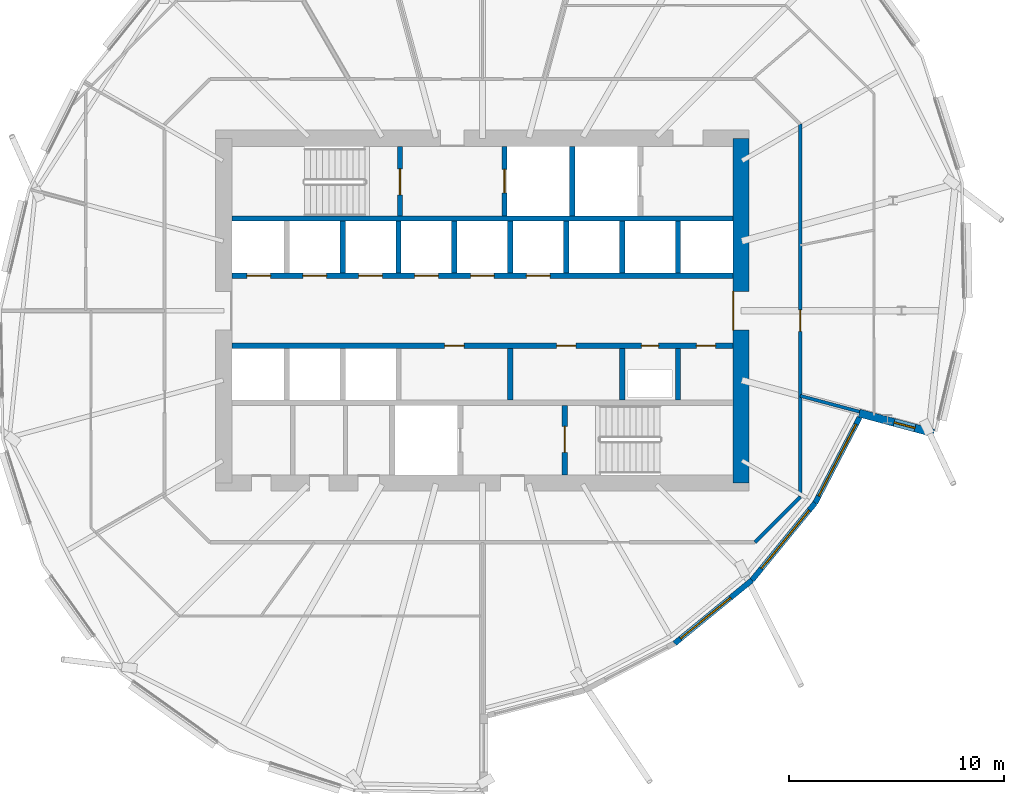
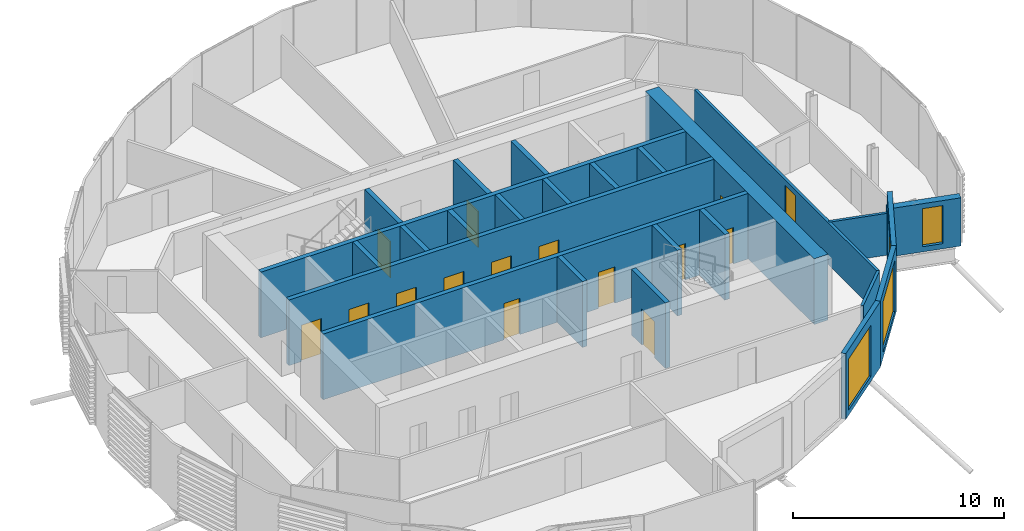
# One storey, part 26 of 42: 25 walls, 15 doors, 4 windows, 19 openings.
"""IFC4 building model written with IfcOpenShell, lengths in metres."""

from ifc_helpers import new_model, si_unit, direction, frame, frame_2d, origin, place, context, subcontext, project, spatial, rectangle, extrude, material, layer, layer_set, type_object, element, fill, save


model = new_model("IFC4")

# Units and contexts
model_context = context("Model", 3, precision=1e-05, world=origin(), true_north=direction((0.0, 1.0)))
body_context = subcontext(model_context, "Body", "Model", "MODEL_VIEW")
ifc_project = project(units=[si_unit("LENGTHUNIT", "METRE"), si_unit("AREAUNIT", "SQUARE_METRE"), si_unit("VOLUMEUNIT", "CUBIC_METRE"), si_unit("PLANEANGLEUNIT", "RADIAN"), si_unit("MASSUNIT", "GRAM", prefix="KILO")], contexts=[model_context])

# Site, building, storey
site_placement = place(None, origin())
site = spatial("IfcSite", under=ifc_project, at=site_placement, CompositionType="ELEMENT")
building_placement = place(site_placement, origin())
building = spatial("IfcBuilding", under=site, at=building_placement, Name="Rimbun Link Towers", CompositionType="ELEMENT")
storey_placement = place(building_placement, frame((0.0, 0.0, 85.39990234375)))
storey = spatial("IfcBuildingStorey", under=building, at=storey_placement, Name="L20", CompositionType="ELEMENT", Elevation=85.39990234375)

# Wall, opening, window
ifc_material_1 = material(Name="Dark enamelled glass spandrel on insulated aluminium backpan", Category="aluminium")
ifc_layer_1 = layer(ifc_material_1, 0.25)
ifc_layer_set_1 = layer_set([ifc_layer_1], Name="CS dark enamelled spandrel wall 250")
wall_type_1 = type_object("IfcWallType", Name="CS dark enamelled spandrel wall 250", PredefinedType="STANDARD", material=ifc_layer_set_1)
wall_1_placement = place(storey_placement, frame((44.259765625, -12.509765625, 0.0), z_axis=(0.0, 0.0, 1.0), x_axis=(-0.773910332823, -0.633295189268, 0.0)))
wall_1 = element("IfcWall", 1, at=wall_1_placement, inside=storey, type_object=wall_type_1, Name="Crease spandrel wall", PredefinedType="STANDARD", context=body_context, shape_type="SweptSolid", body=[
    extrude(rectangle(XDim=4.63232421875, YDim=0.25, at=frame_2d((2.316162109375, 0.0))), origin(), (0.0, 0.0, 1.0), 3.800048828125),
])
opening_1_placement = place(wall_1_placement, frame((1.277099609375, 0.0, 0.300048828125)))
opening_1 = element("IfcOpeningElement", 2, at=opening_1_placement, cuts=wall_1, Name="Opening WR30H295", PredefinedType="OPENING", context=body_context, shape_type="SweptSolid", body=[
    extrude(rectangle(XDim=3.0, YDim=2.949951171875, at=frame_2d((1.5, 1.47509765625))), frame((0.0, 0.135009765625, 0.0), z_axis=(0.0, -1.0, 0.0), x_axis=(1.0, 0.0, 0.0)), (0.0, 0.0, 1.0), 0.27001953125),
])
ifc_material_2 = material(Name="Aluminium framed fixed window, dark tinted low-e glass", Category="aluminium")
window_type_1 = type_object("IfcWindowType", Name="WR ribbon window 3000X2950", PartitioningType="SINGLE_PANEL", PredefinedType="WINDOW", material=ifc_material_2)
window_1_placement = place(opening_1_placement, origin())
window_1 = element("IfcWindow", 3, at=window_1_placement, inside=storey, type_object=window_type_1, Name="Crease ribbon window", OverallHeight=2.949951171875, OverallWidth=3.0, PartitioningType="SINGLE_PANEL", PredefinedType="WINDOW", context=body_context, shape_type="SweptSolid", body=[
    extrude(rectangle(XDim=3.0, YDim=2.949951171875, at=frame_2d((1.5, 1.47509765625))), frame((0.0, 0.030029296875, 0.0), z_axis=(0.0, -1.0, 0.0), x_axis=(1.0, 0.0, 0.0)), (0.0, 0.0, 1.0), 0.06005859375),
])
fill(opening_1, window_1)

wall_2_placement = place(storey_placement, frame((47.193359375, -8.9248046875, 0.0), z_axis=(0.0, 0.0, 1.0), x_axis=(-0.633295189268, -0.773910332823, 0.0)))
wall_2 = element("IfcWall", 4, at=wall_2_placement, inside=storey, type_object=wall_type_1, Name="Crease spandrel wall", PredefinedType="STANDARD", context=body_context, shape_type="SweptSolid", body=[
    extrude(rectangle(XDim=4.63232421875, YDim=0.25, at=frame_2d((2.316162109375, 0.0))), origin(), (0.0, 0.0, 1.0), 3.800048828125),
])
opening_2_placement = place(wall_2_placement, frame((0.434814453125, 0.0, 0.300048828125)))
opening_2 = element("IfcOpeningElement", 5, at=opening_2_placement, cuts=wall_2, Name="Opening WR35H295", PredefinedType="OPENING", context=body_context, shape_type="SweptSolid", body=[
    extrude(rectangle(XDim=3.5, YDim=2.949951171875, at=frame_2d((1.75, 1.47509765625))), frame((0.0, 0.135009765625, 0.0), z_axis=(0.0, -1.0, 0.0), x_axis=(1.0, 0.0, 0.0)), (0.0, 0.0, 1.0), 0.27001953125),
])
ifc_material_3 = material(Name="Aluminium framed fixed window, dark tinted low-e glass", Category="aluminium")
window_type_2 = type_object("IfcWindowType", Name="WR ribbon window 3500X2950", PartitioningType="SINGLE_PANEL", PredefinedType="WINDOW", material=ifc_material_3)
window_2_placement = place(opening_2_placement, origin())
window_2 = element("IfcWindow", 6, at=window_2_placement, inside=storey, type_object=window_type_2, Name="Crease ribbon window", OverallHeight=2.949951171875, OverallWidth=3.5, PartitioningType="SINGLE_PANEL", PredefinedType="WINDOW", context=body_context, shape_type="SweptSolid", body=[
    extrude(rectangle(XDim=3.5, YDim=2.949951171875, at=frame_2d((1.75, 1.47509765625))), frame((0.0, 0.030029296875, 0.0), z_axis=(0.0, -1.0, 0.0), x_axis=(1.0, 0.0, 0.0)), (0.0, 0.0, 1.0), 0.06005859375),
])
fill(opening_2, window_2)

wall_3_placement = place(storey_placement, frame((49.26171875, -4.951171875, 0.0), z_axis=(0.0, 0.0, 1.0), x_axis=(-0.461716482869, -0.887027558448, 0.0)))
wall_3 = element("IfcWall", 7, at=wall_3_placement, inside=storey, type_object=wall_type_1, Name="Crease spandrel wall", PredefinedType="STANDARD", context=body_context, shape_type="SweptSolid", body=[
    extrude(rectangle(XDim=4.479736328125, YDim=0.25, at=frame_2d((2.23974609375, 0.0))), origin(), (0.0, 0.0, 1.0), 3.800048828125),
])
opening_3_placement = place(wall_3_placement, frame((0.364990234375, 0.0, 0.300048828125)))
opening_3 = element("IfcOpeningElement", 8, at=opening_3_placement, cuts=wall_3, Name="Opening WR38H295", PredefinedType="OPENING", context=body_context, shape_type="SweptSolid", body=[
    extrude(rectangle(XDim=3.75, YDim=2.949951171875, at=frame_2d((1.875, 1.47509765625))), frame((0.0, 0.135009765625, 0.0), z_axis=(0.0, -1.0, 0.0), x_axis=(1.0, 0.0, 0.0)), (0.0, 0.0, 1.0), 0.27001953125),
])
ifc_material_4 = material(Name="Aluminium framed fixed window, dark tinted low-e glass", Category="aluminium")
window_type_3 = type_object("IfcWindowType", Name="WR ribbon window 3750X2950", PartitioningType="SINGLE_PANEL", PredefinedType="WINDOW", material=ifc_material_4)
window_3_placement = place(opening_3_placement, origin())
window_3 = element("IfcWindow", 9, at=window_3_placement, inside=storey, type_object=window_type_3, Name="Crease ribbon window", OverallHeight=2.949951171875, OverallWidth=3.75, PartitioningType="SINGLE_PANEL", PredefinedType="WINDOW", context=body_context, shape_type="SweptSolid", body=[
    extrude(rectangle(XDim=3.75, YDim=2.949951171875, at=frame_2d((1.875, 1.47509765625))), frame((0.0, 0.030029296875, 0.0), z_axis=(0.0, -1.0, 0.0), x_axis=(1.0, 0.0, 0.0)), (0.0, 0.0, 1.0), 0.06005859375),
])
fill(opening_3, window_3)

ifc_material_5 = material(Name="Dark enamelled glass spandrel on insulated aluminium backpan", Category="aluminium")
ifc_layer_2 = layer(ifc_material_5, 0.3701171875)
ifc_layer_set_2 = layer_set([ifc_layer_2], Name="CS dark enamelled spandrel wall 370")
wall_type_2 = type_object("IfcWallType", Name="CS dark enamelled spandrel wall 370", PredefinedType="STANDARD", material=ifc_layer_set_2)
wall_4_placement = place(storey_placement, frame((52.697509765625, -5.68017578125, 0.0), z_axis=(0.0, 0.0, 1.0), x_axis=(-0.965929787715, 0.258804260405, 0.0)))
wall_4 = element("IfcWall", 10, at=wall_4_placement, inside=storey, type_object=wall_type_2, Name="Crease spandrel wall", PredefinedType="STANDARD", context=body_context, shape_type="SweptSolid", body=[
    extrude(rectangle(XDim=3.580078125, YDim=0.3701171875, at=frame_2d((1.7900390625, 0.0))), origin(), (0.0, 0.0, 1.0), 2.789306640625),
])
opening_4_placement = place(wall_4_placement, frame((0.90185546875, 0.0, 0.300048828125)))
opening_4 = element("IfcOpeningElement", 11, at=opening_4_placement, cuts=wall_4, Name="Opening WR10H220", PredefinedType="OPENING", context=body_context, shape_type="SweptSolid", body=[
    extrude(rectangle(XDim=1.0, YDim=2.199951171875, at=frame_2d((0.5, 1.10009765625))), frame((0.0, 0.195068359375, 0.0), z_axis=(0.0, -1.0, 0.0), x_axis=(1.0, 0.0, 0.0)), (0.0, 0.0, 1.0), 0.39013671875),
])
ifc_material_6 = material(Name="Aluminium framed fixed window, dark tinted low-e glass", Category="aluminium")
window_type_4 = type_object("IfcWindowType", Name="WR ribbon window 1000X2200", PartitioningType="SINGLE_PANEL", PredefinedType="WINDOW", material=ifc_material_6)
window_4_placement = place(opening_4_placement, origin())
window_4 = element("IfcWindow", 12, at=window_4_placement, inside=storey, type_object=window_type_4, Name="Crease ribbon window", OverallHeight=2.199951171875, OverallWidth=1.0, PartitioningType="SINGLE_PANEL", PredefinedType="WINDOW", context=body_context, shape_type="SweptSolid", body=[
    extrude(rectangle(XDim=1.0, YDim=2.199951171875, at=frame_2d((0.5, 1.10009765625))), frame((0.0, 0.030029296875, 0.0), z_axis=(0.0, -1.0, 0.0), x_axis=(1.0, 0.0, 0.0)), (0.0, 0.0, 1.0), 0.06005859375),
])
fill(opening_4, window_4)

# Wall, opening, door
ifc_material_7 = material(Name="Concrete C60/75", Category="concrete")
ifc_layer_3 = layer(ifc_material_7, 0.75)
ifc_layer_set_3 = layer_set([ifc_layer_3], Name="Core shear wall 750")
wall_type_3 = type_object("IfcWallType", Name="Core shear wall 750", PredefinedType="SHEAR", material=ifc_layer_set_3)
wall_5_placement = place(storey_placement, frame((43.75, -8.0, 0.0), z_axis=(0.0, 0.0, 1.0), x_axis=(0.0, 1.0, 0.0)))
wall_5 = element("IfcWall", 13, at=wall_5_placement, inside=storey, type_object=wall_type_3, Name="L20 T2 core wall E", PredefinedType="SHEAR", context=body_context, shape_type="SweptSolid", body=[
    extrude(rectangle(XDim=16.0, YDim=0.75, at=frame_2d((8.0, 0.0))), origin(), (0.0, 0.0, 1.0), 3.800048828125),
])
opening_5_placement = place(wall_5_placement, frame((7.10009765625, 0.0, 0.0)))
opening_5 = element("IfcOpeningElement", 14, at=opening_5_placement, cuts=wall_5, Name="Opening C2DCL01E", PredefinedType="OPENING", context=body_context, shape_type="SweptSolid", body=[
    extrude(rectangle(XDim=1.800048828125, YDim=2.10009765625, at=frame_2d((0.89990234375, 1.050048828125))), frame((0.0, 0.385009765625, 0.0), z_axis=(0.0, -1.0, 0.0), x_axis=(1.0, 0.0, 0.0)), (0.0, 0.0, 1.0), 0.77001953125),
])
ifc_material_8 = material(Name="Steel fire door set", Category="steel")
door_type_1 = type_object("IfcDoorType", Name="Core lobby door double", OperationType="DOUBLE_DOOR_SINGLE_SWING", PredefinedType="DOOR", material=ifc_material_8)
door_1_placement = place(opening_5_placement, origin())
door_1 = element("IfcDoor", 15, at=door_1_placement, inside=storey, type_object=door_type_1, Name="L20 T2 lift lobby door", OperationType="DOUBLE_DOOR_SINGLE_SWING", OverallHeight=2.10009765625, OverallWidth=1.800048828125, PredefinedType="DOOR", context=body_context, shape_type="SweptSolid", body=[
    extrude(rectangle(XDim=1.800048828125, YDim=2.10009765625, at=frame_2d((0.89990234375, 1.050048828125))), frame((0.0, 0.375, 0.0), z_axis=(0.0, -1.0, 0.0), x_axis=(1.0, 0.0, 0.0)), (0.0, 0.0, 1.0), 0.050048828125),
])
fill(opening_5, door_1)

ifc_material_9 = material(Name="Plasterboard on steel stud, mineral wool", Category="steel")
ifc_layer_4 = layer(ifc_material_9, 0.14990234375)
ifc_layer_set_4 = layer_set([ifc_layer_4], Name="Corridor wall EI 30 150 mm")
wall_type_4 = type_object("IfcWallType", Name="Corridor wall EI 30 150 mm", PredefinedType="PARTITIONING", material=ifc_layer_set_4)
wall_6_placement = place(storey_placement, frame((46.5, 8.651611328125, 0.0), z_axis=(0.0, 0.0, 1.0), x_axis=(0.0, -1.0, 0.0)))
wall_6 = element("IfcWall", 16, at=wall_6_placement, inside=storey, type_object=wall_type_4, Name="Corridor wall EI 30 150 mm", PredefinedType="PARTITIONING", context=body_context, shape_type="SweptSolid", body=[
    extrude(rectangle(XDim=17.30322265625, YDim=0.14990234375, at=frame_2d((8.651611328125, 0.0))), origin(), (0.0, 0.0, 1.0), 2.420166015625),
])
opening_6_placement = place(wall_6_placement, frame((8.611328125, 0.0, 0.0)))
opening_6 = element("IfcOpeningElement", 17, at=opening_6_placement, cuts=wall_6, Name="Opening D01", PredefinedType="OPENING", context=body_context, shape_type="SweptSolid", body=[
    extrude(rectangle(XDim=1.0, YDim=2.10009765625, at=frame_2d((0.5, 1.050048828125))), frame((0.0, 0.0849609375, 0.0), z_axis=(0.0, -1.0, 0.0), x_axis=(1.0, 0.0, 0.0)), (0.0, 0.0, 1.0), 0.169921875),
])
ifc_material_10 = material(Name="Fire-resisting timber door leaf", Category="wood")
door_type_2 = type_object("IfcDoorType", Name="Fire door FD30S 1000", OperationType="NOTDEFINED", PredefinedType="DOOR", material=ifc_material_10)
door_2_placement = place(opening_6_placement, origin())
door_2 = element("IfcDoor", 18, at=door_2_placement, inside=storey, type_object=door_type_2, Name="Fire door FD30S 1000 to Reception", OperationType="SINGLE_SWING_LEFT", OverallHeight=2.10009765625, OverallWidth=1.0, PredefinedType="DOOR", context=body_context, shape_type="SweptSolid", body=[
    extrude(rectangle(XDim=1.0, YDim=2.10009765625, at=frame_2d((0.5, 1.050048828125))), frame((0.0, 0.02490234375, 0.0), z_axis=(0.0, -1.0, 0.0), x_axis=(1.0, 0.0, 0.0)), (0.0, 0.0, 1.0), 0.050048828125),
])
fill(opening_6, door_2)

# Walls
wall_7_placement = place(storey_placement, frame((44.401611328125, -10.75, 0.0), z_axis=(0.0, 0.0, 1.0), x_axis=(0.707106781187, 0.707106781187, 0.0)))
element("IfcWall", 19, at=wall_7_placement, inside=storey, type_object=wall_type_4, Name="Corridor wall EI 30 150 mm", PredefinedType="PARTITIONING", context=body_context, shape_type="SweptSolid", body=[
    extrude(rectangle(XDim=2.967529296875, YDim=0.14990234375, at=frame_2d((1.48388671875, 0.0))), origin(), (0.0, 0.0, 1.0), 2.420166015625),
])
ifc_material_11 = material(Name="Concrete C60/75", Category="concrete")
ifc_layer_5 = layer(ifc_material_11, 0.25)
ifc_layer_set_5 = layer_set([ifc_layer_5], Name="Shaft wall 250")
wall_type_5 = type_object("IfcWallType", Name="Shaft wall 250", PredefinedType="SHEAR", material=ifc_layer_set_5)
wall_8_placement = place(storey_placement, frame((20.125, 4.27490234375, 0.0), z_axis=(0.0, 0.0, 1.0), x_axis=(1.0, 0.0, 0.0)))
element("IfcWall", 20, at=wall_8_placement, inside=storey, type_object=wall_type_5, Name="L20 T2 core wall BN", PredefinedType="SHEAR", context=body_context, shape_type="SweptSolid", body=[
    extrude(rectangle(XDim=23.25, YDim=0.25, at=frame_2d((11.625, 0.0))), origin(), (0.0, 0.0, 1.0), 3.800048828125),
])

# Wall, openings, doors
wall_9_placement = place(storey_placement, frame((20.125, 1.625, 0.0), z_axis=(0.0, 0.0, 1.0), x_axis=(1.0, 0.0, 0.0)))
wall_9 = element("IfcWall", 21, at=wall_9_placement, inside=storey, type_object=wall_type_5, Name="L20 T2 core wall FN", PredefinedType="SHEAR", context=body_context, shape_type="SweptSolid", body=[
    extrude(rectangle(XDim=23.25, YDim=0.25, at=frame_2d((11.625, 0.0))), origin(), (0.0, 0.0, 1.0), 3.800048828125),
])
opening_7_placement = place(wall_9_placement, frame((0.697265625, 0.0, 0.0)))
opening_7 = element("IfcOpeningElement", 22, at=opening_7_placement, cuts=wall_9, Name="Opening LD-T2-LR1", PredefinedType="OPENING", context=body_context, shape_type="SweptSolid", body=[
    extrude(rectangle(XDim=1.10009765625, YDim=2.10009765625, at=frame_2d((0.550048828125, 1.050048828125))), frame((0.0, 0.135009765625, 0.0), z_axis=(0.0, -1.0, 0.0), x_axis=(1.0, 0.0, 0.0)), (0.0, 0.0, 1.0), 0.27001953125),
])
opening_8_placement = place(wall_9_placement, frame((3.291748046875, 0.0, 0.0)))
opening_8 = element("IfcOpeningElement", 23, at=opening_8_placement, cuts=wall_9, Name="Opening LD-T2-LR2", PredefinedType="OPENING", context=body_context, shape_type="SweptSolid", body=[
    extrude(rectangle(XDim=1.10009765625, YDim=2.10009765625, at=frame_2d((0.550048828125, 1.050048828125))), frame((0.0, 0.135009765625, 0.0), z_axis=(0.0, -1.0, 0.0), x_axis=(1.0, 0.0, 0.0)), (0.0, 0.0, 1.0), 0.27001953125),
])
opening_9_placement = place(wall_9_placement, frame((5.885986328125, 0.0, 0.0)))
opening_9 = element("IfcOpeningElement", 24, at=opening_9_placement, cuts=wall_9, Name="Opening LD-T2-LR3", PredefinedType="OPENING", context=body_context, shape_type="SweptSolid", body=[
    extrude(rectangle(XDim=1.10009765625, YDim=2.10009765625, at=frame_2d((0.550048828125, 1.050048828125))), frame((0.0, 0.135009765625, 0.0), z_axis=(0.0, -1.0, 0.0), x_axis=(1.0, 0.0, 0.0)), (0.0, 0.0, 1.0), 0.27001953125),
])
opening_10_placement = place(wall_9_placement, frame((8.480712890625, 0.0, 0.0)))
opening_10 = element("IfcOpeningElement", 25, at=opening_10_placement, cuts=wall_9, Name="Opening LD-T2-LR4", PredefinedType="OPENING", context=body_context, shape_type="SweptSolid", body=[
    extrude(rectangle(XDim=1.10009765625, YDim=2.10009765625, at=frame_2d((0.550048828125, 1.050048828125))), frame((0.0, 0.135009765625, 0.0), z_axis=(0.0, -1.0, 0.0), x_axis=(1.0, 0.0, 0.0)), (0.0, 0.0, 1.0), 0.27001953125),
])
opening_11_placement = place(wall_9_placement, frame((11.074951171875, 0.0, 0.0)))
opening_11 = element("IfcOpeningElement", 26, at=opening_11_placement, cuts=wall_9, Name="Opening LD-T2-LR5", PredefinedType="OPENING", context=body_context, shape_type="SweptSolid", body=[
    extrude(rectangle(XDim=1.10009765625, YDim=2.10009765625, at=frame_2d((0.550048828125, 1.050048828125))), frame((0.0, 0.135009765625, 0.0), z_axis=(0.0, -1.0, 0.0), x_axis=(1.0, 0.0, 0.0)), (0.0, 0.0, 1.0), 0.27001953125),
])
opening_12_placement = place(wall_9_placement, frame((13.66943359375, 0.0, 0.0)))
opening_12 = element("IfcOpeningElement", 27, at=opening_12_placement, cuts=wall_9, Name="Opening LD-T2-LR6", PredefinedType="OPENING", context=body_context, shape_type="SweptSolid", body=[
    extrude(rectangle(XDim=1.10009765625, YDim=2.10009765625, at=frame_2d((0.550048828125, 1.050048828125))), frame((0.0, 0.135009765625, 0.0), z_axis=(0.0, -1.0, 0.0), x_axis=(1.0, 0.0, 0.0)), (0.0, 0.0, 1.0), 0.27001953125),
])
ifc_material_12 = material(Name="Stainless steel grade 316", Category="steel")
door_type_3 = type_object("IfcDoorType", Name="Lift landing door", OperationType="DOUBLE_DOOR_SLIDING", PredefinedType="DOOR", material=ifc_material_12)
door_3_placement = place(opening_7_placement, origin())
door_3 = element("IfcDoor", 28, at=door_3_placement, inside=storey, type_object=door_type_3, Name="L20 T2 lift LR1 landing door", OperationType="DOUBLE_DOOR_SLIDING", OverallHeight=2.10009765625, OverallWidth=1.10009765625, PredefinedType="DOOR", context=body_context, shape_type="SweptSolid", body=[
    extrude(rectangle(XDim=1.10009765625, YDim=2.10009765625, at=frame_2d((0.550048828125, 1.050048828125))), frame((0.0, 0.02490234375, 0.0), z_axis=(0.0, -1.0, 0.0), x_axis=(1.0, 0.0, 0.0)), (0.0, 0.0, 1.0), 0.050048828125),
])
fill(opening_7, door_3)
door_4_placement = place(opening_8_placement, origin())
door_4 = element("IfcDoor", 29, at=door_4_placement, inside=storey, type_object=door_type_3, Name="L20 T2 lift LR2 landing door", OperationType="DOUBLE_DOOR_SLIDING", OverallHeight=2.10009765625, OverallWidth=1.10009765625, PredefinedType="DOOR", context=body_context, shape_type="SweptSolid", body=[
    extrude(rectangle(XDim=1.10009765625, YDim=2.10009765625, at=frame_2d((0.550048828125, 1.050048828125))), frame((0.0, 0.02490234375, 0.0), z_axis=(0.0, -1.0, 0.0), x_axis=(1.0, 0.0, 0.0)), (0.0, 0.0, 1.0), 0.050048828125),
])
fill(opening_8, door_4)
door_5_placement = place(opening_9_placement, origin())
door_5 = element("IfcDoor", 30, at=door_5_placement, inside=storey, type_object=door_type_3, Name="L20 T2 lift LR3 landing door", OperationType="DOUBLE_DOOR_SLIDING", OverallHeight=2.10009765625, OverallWidth=1.10009765625, PredefinedType="DOOR", context=body_context, shape_type="SweptSolid", body=[
    extrude(rectangle(XDim=1.10009765625, YDim=2.10009765625, at=frame_2d((0.550048828125, 1.050048828125))), frame((0.0, 0.02490234375, 0.0), z_axis=(0.0, -1.0, 0.0), x_axis=(1.0, 0.0, 0.0)), (0.0, 0.0, 1.0), 0.050048828125),
])
fill(opening_9, door_5)
door_6_placement = place(opening_10_placement, origin())
door_6 = element("IfcDoor", 31, at=door_6_placement, inside=storey, type_object=door_type_3, Name="L20 T2 lift LR4 landing door", OperationType="DOUBLE_DOOR_SLIDING", OverallHeight=2.10009765625, OverallWidth=1.10009765625, PredefinedType="DOOR", context=body_context, shape_type="SweptSolid", body=[
    extrude(rectangle(XDim=1.10009765625, YDim=2.10009765625, at=frame_2d((0.550048828125, 1.050048828125))), frame((0.0, 0.02490234375, 0.0), z_axis=(0.0, -1.0, 0.0), x_axis=(1.0, 0.0, 0.0)), (0.0, 0.0, 1.0), 0.050048828125),
])
fill(opening_10, door_6)
door_7_placement = place(opening_11_placement, origin())
door_7 = element("IfcDoor", 32, at=door_7_placement, inside=storey, type_object=door_type_3, Name="L20 T2 lift LR5 landing door", OperationType="DOUBLE_DOOR_SLIDING", OverallHeight=2.10009765625, OverallWidth=1.10009765625, PredefinedType="DOOR", context=body_context, shape_type="SweptSolid", body=[
    extrude(rectangle(XDim=1.10009765625, YDim=2.10009765625, at=frame_2d((0.550048828125, 1.050048828125))), frame((0.0, 0.02490234375, 0.0), z_axis=(0.0, -1.0, 0.0), x_axis=(1.0, 0.0, 0.0)), (0.0, 0.0, 1.0), 0.050048828125),
])
fill(opening_11, door_7)
door_8_placement = place(opening_12_placement, origin())
door_8 = element("IfcDoor", 33, at=door_8_placement, inside=storey, type_object=door_type_3, Name="L20 T2 lift LR6 landing door", OperationType="DOUBLE_DOOR_SLIDING", OverallHeight=2.10009765625, OverallWidth=1.10009765625, PredefinedType="DOOR", context=body_context, shape_type="SweptSolid", body=[
    extrude(rectangle(XDim=1.10009765625, YDim=2.10009765625, at=frame_2d((0.550048828125, 1.050048828125))), frame((0.0, 0.02490234375, 0.0), z_axis=(0.0, -1.0, 0.0), x_axis=(1.0, 0.0, 0.0)), (0.0, 0.0, 1.0), 0.050048828125),
])
fill(opening_12, door_8)

wall_10_placement = place(storey_placement, frame((20.125, -1.625, 0.0), z_axis=(0.0, 0.0, 1.0), x_axis=(1.0, 0.0, 0.0)))
wall_10 = element("IfcWall", 34, at=wall_10_placement, inside=storey, type_object=wall_type_5, Name="L20 T2 core wall FS", PredefinedType="SHEAR", context=body_context, shape_type="SweptSolid", body=[
    extrude(rectangle(XDim=23.25, YDim=0.25, at=frame_2d((11.625, 0.0))), origin(), (0.0, 0.0, 1.0), 3.800048828125),
])
opening_13_placement = place(wall_10_placement, frame((9.877685546875, 0.0, 0.0)))
opening_13 = element("IfcOpeningElement", 35, at=opening_13_placement, cuts=wall_10, Name="Opening C2DRS01FS", PredefinedType="OPENING", context=body_context, shape_type="SweptSolid", body=[
    extrude(rectangle(XDim=0.89990234375, YDim=2.10009765625, at=frame_2d((0.449951171875, 1.050048828125))), frame((0.0, 0.135009765625, 0.0), z_axis=(0.0, -1.0, 0.0), x_axis=(1.0, 0.0, 0.0)), (0.0, 0.0, 1.0), 0.27001953125),
])
opening_14_placement = place(wall_10_placement, frame((15.066650390625, 0.0, 0.0)))
opening_14 = element("IfcOpeningElement", 36, at=opening_14_placement, cuts=wall_10, Name="Opening C2DRS02FS", PredefinedType="OPENING", context=body_context, shape_type="SweptSolid", body=[
    extrude(rectangle(XDim=0.89990234375, YDim=2.10009765625, at=frame_2d((0.449951171875, 1.050048828125))), frame((0.0, 0.135009765625, 0.0), z_axis=(0.0, -1.0, 0.0), x_axis=(1.0, 0.0, 0.0)), (0.0, 0.0, 1.0), 0.27001953125),
])
opening_15_placement = place(wall_10_placement, frame((19.00830078125, 0.0, 0.0)))
opening_15 = element("IfcOpeningElement", 37, at=opening_15_placement, cuts=wall_10, Name="Opening C2DRA03FS", PredefinedType="OPENING", context=body_context, shape_type="SweptSolid", body=[
    extrude(rectangle(XDim=0.800048828125, YDim=2.10009765625, at=frame_2d((0.39990234375, 1.050048828125))), frame((0.0, 0.135009765625, 0.0), z_axis=(0.0, -1.0, 0.0), x_axis=(1.0, 0.0, 0.0)), (0.0, 0.0, 1.0), 0.27001953125),
])
opening_16_placement = place(wall_10_placement, frame((21.552734375, 0.0, 0.0)))
opening_16 = element("IfcOpeningElement", 38, at=opening_16_placement, cuts=wall_10, Name="Opening C2DRS04FS", PredefinedType="OPENING", context=body_context, shape_type="SweptSolid", body=[
    extrude(rectangle(XDim=0.89990234375, YDim=2.10009765625, at=frame_2d((0.449951171875, 1.050048828125))), frame((0.0, 0.135009765625, 0.0), z_axis=(0.0, -1.0, 0.0), x_axis=(1.0, 0.0, 0.0)), (0.0, 0.0, 1.0), 0.27001953125),
])
ifc_material_13 = material(Name="Steel fire door set", Category="steel")
door_type_4 = type_object("IfcDoorType", Name="Core riser door", OperationType="SINGLE_SWING_LEFT", PredefinedType="DOOR", material=ifc_material_13)
door_9_placement = place(opening_13_placement, origin())
door_9 = element("IfcDoor", 39, at=door_9_placement, inside=storey, type_object=door_type_4, Name="L20 T2 archive store door", OperationType="SINGLE_SWING_LEFT", OverallHeight=2.10009765625, OverallWidth=0.89990234375, PredefinedType="DOOR", context=body_context, shape_type="SweptSolid", body=[
    extrude(rectangle(XDim=0.89990234375, YDim=2.10009765625, at=frame_2d((0.449951171875, 1.050048828125))), frame((0.0, 0.02490234375, 0.0), z_axis=(0.0, -1.0, 0.0), x_axis=(1.0, 0.0, 0.0)), (0.0, 0.0, 1.0), 0.050048828125),
])
fill(opening_13, door_9)
door_10_placement = place(opening_14_placement, origin())
door_10 = element("IfcDoor", 40, at=door_10_placement, inside=storey, type_object=door_type_4, Name="L20 T2 pantry door", OperationType="SINGLE_SWING_LEFT", OverallHeight=2.10009765625, OverallWidth=0.89990234375, PredefinedType="DOOR", context=body_context, shape_type="SweptSolid", body=[
    extrude(rectangle(XDim=0.89990234375, YDim=2.10009765625, at=frame_2d((0.449951171875, 1.050048828125))), frame((0.0, 0.02490234375, 0.0), z_axis=(0.0, -1.0, 0.0), x_axis=(1.0, 0.0, 0.0)), (0.0, 0.0, 1.0), 0.050048828125),
])
fill(opening_14, door_10)
door_11_placement = place(opening_16_placement, origin())
door_11 = element("IfcDoor", 41, at=door_11_placement, inside=storey, type_object=door_type_4, Name="L20 T2 staff store door", OperationType="SINGLE_SWING_LEFT", OverallHeight=2.10009765625, OverallWidth=0.89990234375, PredefinedType="DOOR", context=body_context, shape_type="SweptSolid", body=[
    extrude(rectangle(XDim=0.89990234375, YDim=2.10009765625, at=frame_2d((0.449951171875, 1.050048828125))), frame((0.0, 0.02490234375, 0.0), z_axis=(0.0, -1.0, 0.0), x_axis=(1.0, 0.0, 0.0)), (0.0, 0.0, 1.0), 0.050048828125),
])
fill(opening_16, door_11)
ifc_material_14 = material(Name="Steel fire door set", Category="steel")
door_type_5 = type_object("IfcDoorType", Name="Riser access door 800 x 2100", OperationType="SINGLE_SWING_LEFT", PredefinedType="DOOR", material=ifc_material_14)
door_12_placement = place(opening_15_placement, origin())
door_12 = element("IfcDoor", 42, at=door_12_placement, inside=storey, type_object=door_type_5, Name="L20 T2 riser cupboard door", OperationType="SINGLE_SWING_LEFT", OverallHeight=2.10009765625, OverallWidth=0.800048828125, PredefinedType="DOOR", context=body_context, shape_type="SweptSolid", body=[
    extrude(rectangle(XDim=0.800048828125, YDim=2.10009765625, at=frame_2d((0.39990234375, 1.050048828125))), frame((0.0, 0.02490234375, 0.0), z_axis=(0.0, -1.0, 0.0), x_axis=(1.0, 0.0, 0.0)), (0.0, 0.0, 1.0), 0.050048828125),
])
fill(opening_15, door_12)

# Walls
for number, where, z_axis, x_axis, name in (
    (43, (25.263916015625, 1.75, 0.0), (0.0, 0.0, 1.0), (0.0, 1.0, 0.0), "L20 T2 core wall DN1"),
    (44, (27.8583984375, 1.75, 0.0), (0.0, 0.0, 1.0), (0.0, 1.0, 0.0), "L20 T2 core wall DN2"),
    (45, (30.452880859375, 1.75, 0.0), (0.0, 0.0, 1.0), (0.0, 1.0, 0.0), "L20 T2 core wall DN3"),
    (46, (33.047119140625, 1.75, 0.0), (0.0, 0.0, 1.0), (0.0, 1.0, 0.0), "L20 T2 core wall DN4"),
    (47, (35.6416015625, 1.75, 0.0), (0.0, 0.0, 1.0), (0.0, 1.0, 0.0), "L20 T2 core wall DN5"),
    (48, (38.236083984375, 1.75, 0.0), (0.0, 0.0, 1.0), (0.0, 1.0, 0.0), "L20 T2 core wall DN6"),
    (49, (40.83056640625, 1.75, 0.0), (0.0, 0.0, 1.0), (0.0, 1.0, 0.0), "L20 T2 core wall DN7"),
    (50, (33.047119140625, -4.14990234375, 0.0), (0.0, 0.0, 1.0), (0.0, 1.0, 0.0), "L20 T2 core wall DS4"),
    (51, (38.236083984375, -4.14990234375, 0.0), (0.0, 0.0, 1.0), (0.0, 1.0, 0.0), "L20 T2 core wall DS6"),
    (52, (40.83056640625, -4.14990234375, 0.0), (0.0, 0.0, 1.0), (0.0, 1.0, 0.0), "L20 T2 core wall DS7"),
):
    element("IfcWall", number, at=place(storey_placement, frame(where, z_axis=z_axis, x_axis=x_axis)), inside=storey, type_object=wall_type_5, Name=name, PredefinedType="SHEAR", context=body_context, shape_type="SweptSolid", body=[
        extrude(rectangle(XDim=2.39990234375, YDim=0.25, at=frame_2d((1.199951171875, 0.0))), origin(), (0.0, 0.0, 1.0), 3.800048828125),
    ])

# Wall, opening, door
wall_11_placement = place(storey_placement, frame((27.925048828125, 4.39990234375, 0.0), z_axis=(0.0, 0.0, 1.0), x_axis=(0.0, 1.0, 0.0)))
wall_11 = element("IfcWall", 53, at=wall_11_placement, inside=storey, type_object=wall_type_5, Name="L20 T2 core wall A1", PredefinedType="SHEAR", context=body_context, shape_type="SweptSolid", body=[
    extrude(rectangle(XDim=3.22509765625, YDim=0.25, at=frame_2d((1.612548828125, 0.0))), origin(), (0.0, 0.0, 1.0), 3.800048828125),
])
opening_17_placement = place(wall_11_placement, frame((0.97509765625, 0.0, 0.0)))
opening_17 = element("IfcOpeningElement", 54, at=opening_17_placement, cuts=wall_11, Name="Opening C2DST01A1", PredefinedType="OPENING", context=body_context, shape_type="SweptSolid", body=[
    extrude(rectangle(XDim=1.199951171875, YDim=2.10009765625, at=frame_2d((0.60009765625, 1.050048828125))), frame((0.0, 0.135009765625, 0.0), z_axis=(0.0, -1.0, 0.0), x_axis=(1.0, 0.0, 0.0)), (0.0, 0.0, 1.0), 0.27001953125),
])
ifc_material_15 = material(Name="Steel fire door set", Category="steel")
door_type_6 = type_object("IfcDoorType", Name="Stair door", OperationType="SINGLE_SWING_LEFT", PredefinedType="DOOR", material=ifc_material_15)
door_13_placement = place(opening_17_placement, origin())
door_13 = element("IfcDoor", 55, at=door_13_placement, inside=storey, type_object=door_type_6, Name="L20 T2 stair a door", OperationType="SINGLE_SWING_LEFT", OverallHeight=2.10009765625, OverallWidth=1.199951171875, PredefinedType="DOOR", context=body_context, shape_type="SweptSolid", body=[
    extrude(rectangle(XDim=1.199951171875, YDim=2.10009765625, at=frame_2d((0.60009765625, 1.050048828125))), frame((0.0, 0.02490234375, 0.0), z_axis=(0.0, -1.0, 0.0), x_axis=(1.0, 0.0, 0.0)), (0.0, 0.0, 1.0), 0.050048828125),
])
fill(opening_17, door_13)

wall_12_placement = place(storey_placement, frame((32.77490234375, 4.39990234375, 0.0), z_axis=(0.0, 0.0, 1.0), x_axis=(0.0, 1.0, 0.0)))
wall_12 = element("IfcWall", 56, at=wall_12_placement, inside=storey, type_object=wall_type_5, Name="L20 T2 core wall A2", PredefinedType="SHEAR", context=body_context, shape_type="SweptSolid", body=[
    extrude(rectangle(XDim=3.22509765625, YDim=0.25, at=frame_2d((1.612548828125, 0.0))), origin(), (0.0, 0.0, 1.0), 3.800048828125),
])
opening_18_placement = place(wall_12_placement, frame((1.0625, 0.0, 0.0)))
opening_18 = element("IfcOpeningElement", 57, at=opening_18_placement, cuts=wall_12, Name="Opening LD-T2-FF1", PredefinedType="OPENING", context=body_context, shape_type="SweptSolid", body=[
    extrude(rectangle(XDim=1.10009765625, YDim=2.10009765625, at=frame_2d((0.550048828125, 1.050048828125))), frame((0.0, 0.135009765625, 0.0), z_axis=(0.0, -1.0, 0.0), x_axis=(1.0, 0.0, 0.0)), (0.0, 0.0, 1.0), 0.27001953125),
])
door_14_placement = place(opening_18_placement, origin())
door_14 = element("IfcDoor", 58, at=door_14_placement, inside=storey, type_object=door_type_3, Name="L20 T2 lift FF1 landing door", OperationType="DOUBLE_DOOR_SLIDING", OverallHeight=2.10009765625, OverallWidth=1.10009765625, PredefinedType="DOOR", context=body_context, shape_type="SweptSolid", body=[
    extrude(rectangle(XDim=1.10009765625, YDim=2.10009765625, at=frame_2d((0.550048828125, 1.050048828125))), frame((0.0, 0.02490234375, 0.0), z_axis=(0.0, -1.0, 0.0), x_axis=(1.0, 0.0, 0.0)), (0.0, 0.0, 1.0), 0.050048828125),
])
fill(opening_18, door_14)

# Wall
wall_13_placement = place(storey_placement, frame((35.925048828125, 4.39990234375, 0.0), z_axis=(0.0, 0.0, 1.0), x_axis=(0.0, 1.0, 0.0)))
element("IfcWall", 59, at=wall_13_placement, inside=storey, type_object=wall_type_5, Name="L20 T2 core wall A3", PredefinedType="SHEAR", context=body_context, shape_type="SweptSolid", body=[
    extrude(rectangle(XDim=3.22509765625, YDim=0.25, at=frame_2d((1.612548828125, 0.0))), origin(), (0.0, 0.0, 1.0), 3.800048828125),
])

# Wall, opening, door
wall_14_placement = place(storey_placement, frame((35.574951171875, -4.39990234375, 0.0), z_axis=(0.0, 0.0, 1.0), x_axis=(0.0, -1.0, 0.0)))
wall_14 = element("IfcWall", 60, at=wall_14_placement, inside=storey, type_object=wall_type_5, Name="L20 T2 core wall B1", PredefinedType="SHEAR", context=body_context, shape_type="SweptSolid", body=[
    extrude(rectangle(XDim=3.22509765625, YDim=0.25, at=frame_2d((1.612548828125, 0.0))), origin(), (0.0, 0.0, 1.0), 3.800048828125),
])
opening_19_placement = place(wall_14_placement, frame((0.97509765625, 0.0, 0.0)))
opening_19 = element("IfcOpeningElement", 61, at=opening_19_placement, cuts=wall_14, Name="Opening C2DST01B1", PredefinedType="OPENING", context=body_context, shape_type="SweptSolid", body=[
    extrude(rectangle(XDim=1.199951171875, YDim=2.10009765625, at=frame_2d((0.60009765625, 1.050048828125))), frame((0.0, 0.135009765625, 0.0), z_axis=(0.0, -1.0, 0.0), x_axis=(1.0, 0.0, 0.0)), (0.0, 0.0, 1.0), 0.27001953125),
])
door_15_placement = place(opening_19_placement, origin())
door_15 = element("IfcDoor", 62, at=door_15_placement, inside=storey, type_object=door_type_6, Name="L20 T2 stair b door", OperationType="SINGLE_SWING_RIGHT", OverallHeight=2.10009765625, OverallWidth=1.199951171875, PredefinedType="DOOR", context=body_context, shape_type="SweptSolid", body=[
    extrude(rectangle(XDim=1.199951171875, YDim=2.10009765625, at=frame_2d((0.60009765625, 1.050048828125))), frame((0.0, 0.02490234375, 0.0), z_axis=(0.0, -1.0, 0.0), x_axis=(1.0, 0.0, 0.0)), (0.0, 0.0, 1.0), 0.050048828125),
])
fill(opening_19, door_15)

# Wall
ifc_material_16 = material(Name="Plasterboard on steel stud, mineral wool", Category="steel")
ifc_layer_6 = layer(ifc_material_16, 0.14990234375)
ifc_layer_set_6 = layer_set([ifc_layer_6], Name="Tenancy separation wall EI 60 150 mm")
wall_type_6 = type_object("IfcWallType", Name="Tenancy separation wall EI 60 150 mm", PredefinedType="PARTITIONING", material=ifc_layer_set_6)
wall_15_placement = place(storey_placement, frame((46.5, -3.952392578125, 0.0), z_axis=(0.0, 0.0, 1.0), x_axis=(0.9659289572, -0.2588073601, 0.0)))
element("IfcWall", 63, at=wall_15_placement, inside=storey, type_object=wall_type_6, Name="Tenancy separation wall EI 60 150 mm", PredefinedType="PARTITIONING", context=body_context, shape_type="SweptSolid", body=[
    extrude(rectangle(XDim=2.853515625, YDim=0.14990234375, at=frame_2d((1.4267578125, 0.0))), origin(), (0.0, 0.0, 1.0), 2.420166015625),
])

save(model, "model.ifc")
